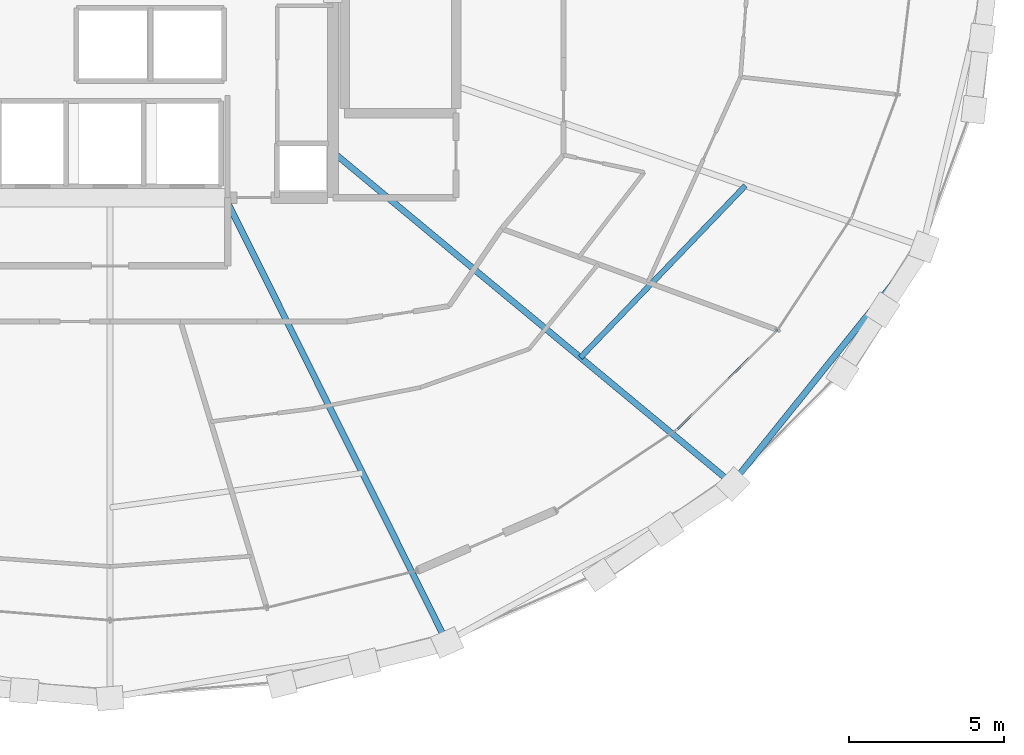
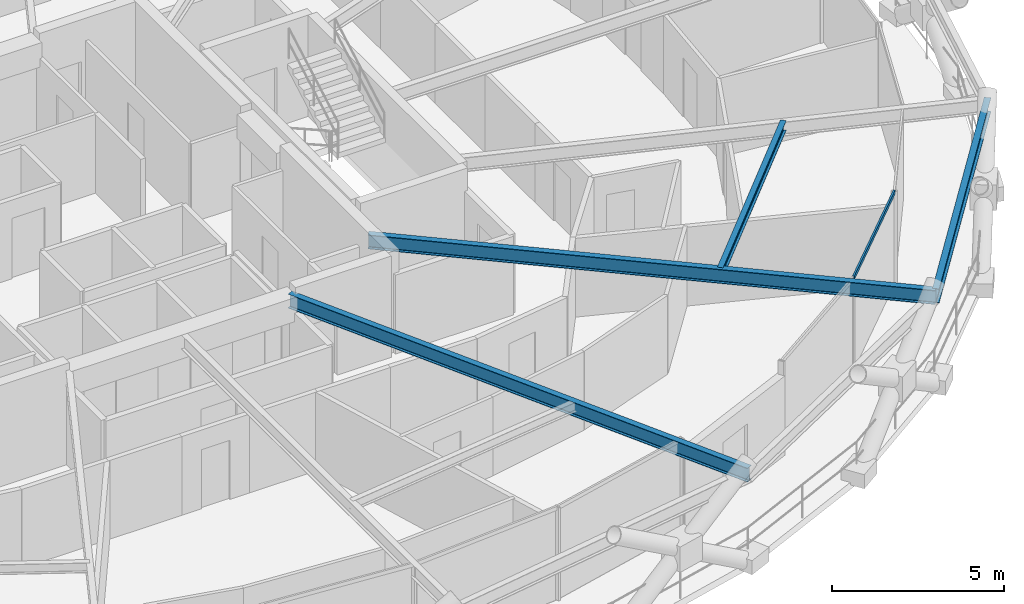
# One storey, part 6 of 21: 4 beams, 1 member, 1 element without a shape of its own.
"""IFC4 building model written with IfcOpenShell, lengths in metres."""

from ifc_helpers import new_model, si_unit, direction, frame, origin, origin_2d, place, context, subcontext, project, spatial, hollow_rectangle, i_section, extrude, material, layer, layer_set, material_profile, profile_set, type_object, element, aggregate, save


model = new_model("IFC4")

# Units and contexts
model_context = context("Model", 3, precision=1e-05, world=origin(), true_north=direction((0.0, 1.0)))
body_context = subcontext(model_context, "Body", "Model", "MODEL_VIEW")
ifc_project = project(units=[si_unit("LENGTHUNIT", "METRE"), si_unit("AREAUNIT", "SQUARE_METRE"), si_unit("VOLUMEUNIT", "CUBIC_METRE"), si_unit("PLANEANGLEUNIT", "RADIAN"), si_unit("MASSUNIT", "GRAM", prefix="KILO")], contexts=[model_context])

# Site, building, storey
site_placement = place(None, origin())
site = spatial("IfcSite", under=ifc_project, at=site_placement, CompositionType="ELEMENT")
building_placement = place(site_placement, origin())
building = spatial("IfcBuilding", under=site, at=building_placement, Name="Veldorina Hangang Commons", CompositionType="ELEMENT")
storey_placement = place(building_placement, frame((0.0, 0.0, 138.800048828125)))
storey = spatial("IfcBuildingStorey", under=building, at=storey_placement, Name="L35", CompositionType="ELEMENT", Elevation=138.800048828125)

# Beams
ifc_material_1 = material(Name="Steel SM420-TMC", Category="steel")
ifc_material_profile_1 = material_profile(ifc_material_1, i_section(OverallWidth=0.199951171875, OverallDepth=0.5, WebThickness=0.010009765625, FlangeThickness=0.01611328125, FilletRadius=0.01611328125, at=origin_2d()), Name="H-500x200x10x16")
ifc_profile_set_1 = profile_set([ifc_material_profile_1], Name="Steel SM420-TMC")
beam_type_1 = type_object("IfcBeamType", Name="BM-FG500", PredefinedType="BEAM", material=ifc_profile_set_1)
beam_1_placement = place(storey_placement, frame((35.717041015625, 16.550048828125, 3.099853515625), z_axis=(0.44645827547, -0.894804452528, 0.0), x_axis=(0.894804452528, 0.44645827547, 0.0)))
element("IfcBeam", 1, at=beam_1_placement, inside=storey, type_object=beam_type_1, Name="L35 radial floor girder 14", PredefinedType="BEAM", context=body_context, shape_type="SweptSolid", body=[
    extrude(i_section(OverallWidth=0.199951171875, OverallDepth=0.5, WebThickness=0.010009765625, FlangeThickness=0.01611328125, FilletRadius=0.01611328125, at=origin_2d()), origin(), (0.0, 0.0, 1.0), 16.035400390625),
])
beam_2_placement = place(storey_placement, frame((39.199951171875, 18.022705078125, 3.099853515625), z_axis=(0.76940907392, -0.638756351804, 0.0), x_axis=(0.638756351804, 0.76940907392, 0.0)))
element("IfcBeam", 2, at=beam_2_placement, inside=storey, type_object=beam_type_1, Name="L35 radial floor girder 15", PredefinedType="BEAM", context=body_context, shape_type="SweptSolid", body=[
    extrude(i_section(OverallWidth=0.199951171875, OverallDepth=0.5, WebThickness=0.010009765625, FlangeThickness=0.01611328125, FilletRadius=0.01611328125, at=origin_2d()), origin(), (0.0, 0.0, 1.0), 16.761474609375),
])
ifc_material_2 = material(Name="Steel SM355-TMC", Category="steel")
ifc_material_profile_2 = material_profile(ifc_material_2, i_section(OverallWidth=0.175048828125, OverallDepth=0.35009765625, WebThickness=0.007080078125, FlangeThickness=0.010986328125, FilletRadius=0.012939453125, at=origin_2d()), Name="H-350x175x7x11")
ifc_profile_set_2 = profile_set([ifc_material_profile_2], Name="Steel SM355-TMC")
beam_type_2 = type_object("IfcBeamType", Name="BM-JST350", PredefinedType="JOIST", material=ifc_profile_set_2)
beam_3_placement = place(storey_placement, frame((47.19580078125, 11.384521484375, 3.175048828125), z_axis=(0.692389270832, 0.721524149032, 0.0), x_axis=(-0.721524149032, 0.692389270832, 0.0)))
element("IfcBeam", 3, at=beam_3_placement, inside=storey, type_object=beam_type_2, Name="L35 secondary floor joist 15", PredefinedType="JOIST", context=body_context, shape_type="SweptSolid", body=[
    extrude(i_section(OverallWidth=0.175048828125, OverallDepth=0.35009765625, WebThickness=0.007080078125, FlangeThickness=0.010986328125, FilletRadius=0.012939453125, at=origin_2d()), origin(), (0.0, 0.0, 1.0), 7.700927734375),
])
ifc_material_profile_3 = material_profile(ifc_material_1, i_section(OverallWidth=0.199951171875, OverallDepth=0.5, WebThickness=0.010009765625, FlangeThickness=0.01611328125, FilletRadius=0.01611328125, at=origin_2d()), Name="H-500x200x10x16")
ifc_profile_set_3 = profile_set([ifc_material_profile_3], Name="Steel SM420-TMC")
beam_type_3 = type_object("IfcBeamType", Name="BM-RB500", PredefinedType="BEAM", material=ifc_profile_set_3)
beam_4_placement = place(storey_placement, frame((52.096435546875, 7.316162109375, 3.099853515625), z_axis=(0.627004256478, 0.779015829338, 0.0), x_axis=(-0.779015829338, 0.627004256478, 0.0)))
element("IfcBeam", 4, at=beam_4_placement, inside=storey, type_object=beam_type_3, Name="L35 perimeter hoop ring beam 28", PredefinedType="BEAM", context=body_context, shape_type="SweptSolid", body=[
    extrude(i_section(OverallWidth=0.199951171875, OverallDepth=0.5, WebThickness=0.010009765625, FlangeThickness=0.01611328125, FilletRadius=0.01611328125, at=origin_2d()), origin(), (0.0, 0.0, 1.0), 9.825927734375),
])

# Curtain wall, member
ifc_material_3 = material(Name="Glass Low-E Triple IGU", Category="glass")
ifc_layer = layer(ifc_material_3, 0.179931640625)
ifc_layer_set = layer_set([ifc_layer], Name="Glass Low-E Triple IGU")
curtain_wall_type = type_object("IfcCurtainWallType", Name="CW-SYS-Z2", PredefinedType="NOTDEFINED", material=ifc_layer_set)
curtain_wall_placement = place(storey_placement, origin())
curtain_wall = element("IfcCurtainWall", 5, at=curtain_wall_placement, inside=storey, type_object=curtain_wall_type, Name="L35 unitised curtain wall CW-L35-R2", PredefinedType="NOTDEFINED")
ifc_material_4 = material(Name="Aluminium Anodized AA6063-T6", Category="aluminium")
ifc_material_profile_4 = material_profile(ifc_material_4, hollow_rectangle(XDim=0.06005859375, YDim=0.139892578125, WallThickness=0.00341796875, at=origin_2d()), Name="ALU-RHS-140x60x3.5")
ifc_profile_set_4 = profile_set([ifc_material_profile_4], Name="Aluminium Anodized AA6063-T6")
member_type = type_object("IfcMemberType", Name="CW-TRN-140", PredefinedType="USERDEFINED", material=ifc_profile_set_4)
member_placement = place(storey_placement, frame((50.341064453125, 9.07958984375, 3.27001953125), z_axis=(0.710217490822, 0.703982326292, 0.0), x_axis=(-0.703982326292, 0.710217490822, 0.0)))
member = element("IfcMember", 6, at=member_placement, type_object=member_type, Name="CW-L35-R2 facet 2 transom 1", ObjectType="TRANSOM", PredefinedType="USERDEFINED", context=body_context, shape_type="SweptSolid", body=[
    extrude(hollow_rectangle(XDim=0.06005859375, YDim=0.139892578125, WallThickness=0.00341796875, at=origin_2d()), origin(), (0.0, 0.0, 1.0), 4.5419921875),
])
aggregate(curtain_wall, [member])

save(model, "model.ifc")
